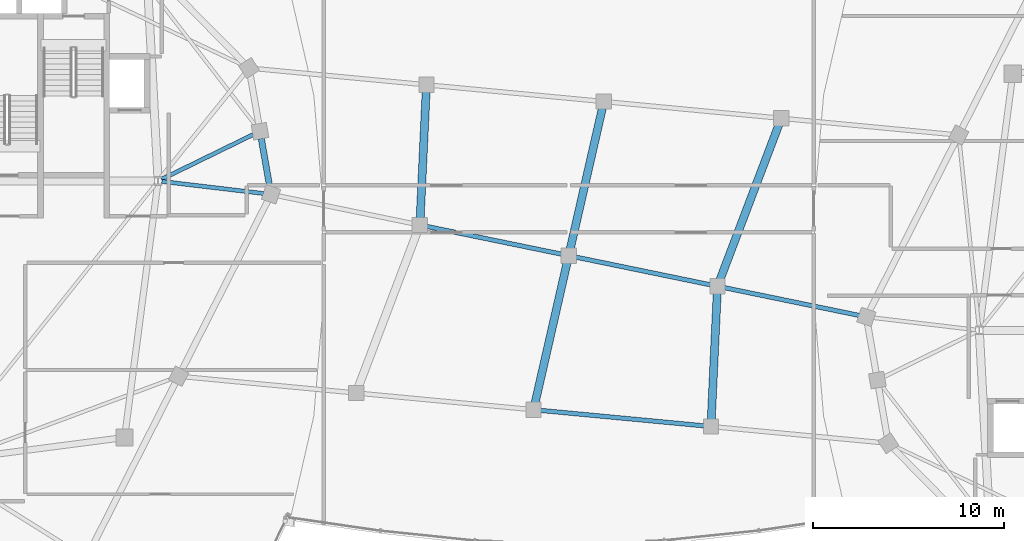
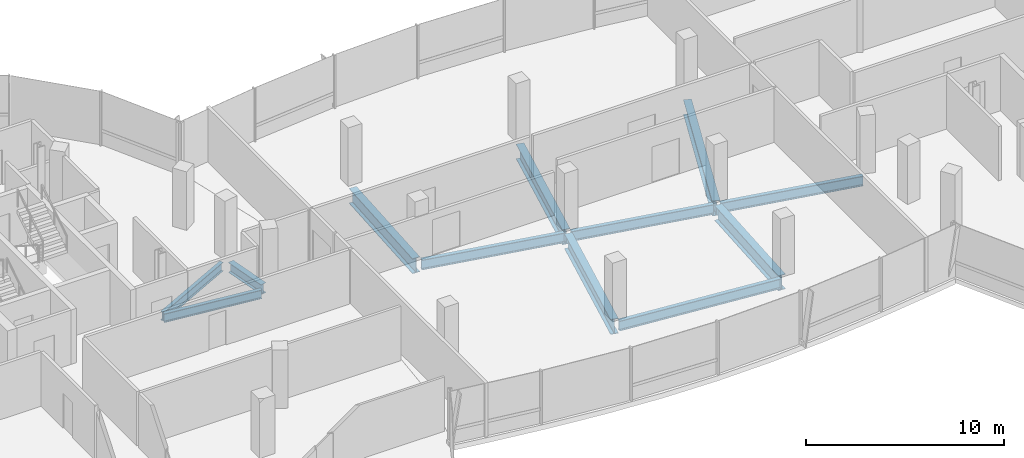
# One storey, part 5 of 25: 12 beams.
"""IFC4 building model written with IfcOpenShell, lengths in metres."""

from ifc_helpers import new_model, si_unit, direction, frame, origin, origin_2d, place, context, subcontext, project, spatial, i_section, extrude, material, material_profile, profile_set, type_object, element, save


model = new_model("IFC4")

# Units and contexts
model_context = context("Model", 3, precision=1e-05, world=origin(), true_north=direction((0.0, 1.0)))
body_context = subcontext(model_context, "Body", "Model", "MODEL_VIEW")
ifc_project = project(units=[si_unit("LENGTHUNIT", "METRE"), si_unit("AREAUNIT", "SQUARE_METRE"), si_unit("VOLUMEUNIT", "CUBIC_METRE"), si_unit("PLANEANGLEUNIT", "RADIAN"), si_unit("MASSUNIT", "GRAM", prefix="KILO"), si_unit("THERMODYNAMICTEMPERATUREUNIT", "KELVIN"), si_unit("POWERUNIT", "WATT")], contexts=[model_context])

# Site, building, storey
site_placement = place(None, origin())
site = spatial("IfcSite", under=ifc_project, at=site_placement, CompositionType="ELEMENT")
building_placement = place(site_placement, origin())
building = spatial("IfcBuilding", under=site, at=building_placement, Name="Cundina Bronze Exchange", CompositionType="ELEMENT")
storey_placement = place(building_placement, frame((0.0, 0.0, 246.800048828125)))
storey = spatial("IfcBuildingStorey", under=building, at=storey_placement, Name="L65", CompositionType="ELEMENT", Elevation=246.800048828125)

# Beams
ifc_material = material(Name="Steel ASTM A992 Grade 50", Category="steel")
ifc_material_profile_1 = material_profile(ifc_material, i_section(OverallWidth=0.2119140625, OverallDepth=0.5439453125, WebThickness=0.01318359375, FlangeThickness=0.021240234375, FilletRadius=0.013916015625, at=origin_2d()), Name="W21X83", Category="steel")
ifc_profile_set_1 = profile_set([ifc_material_profile_1], Name="Steel ASTM A992 Grade 50")
beam_type_1 = type_object("IfcBeamType", Name="BM-FLR-W21A", PredefinedType="BEAM", material=ifc_profile_set_1)
beam_1_placement = place(storey_placement, frame((-21.25537109375, 3.876953125, -0.531982421875), z_axis=(0.993031892142, -0.117845921393, 0.0), x_axis=(0.117845921393, 0.993031892142, 0.0)))
element("IfcBeam", 1, at=beam_1_placement, inside=storey, type_object=beam_type_1, Name="L65 Leg W Radial Floor Beam 00", PredefinedType="BEAM", context=body_context, shape_type="SweptSolid", body=[
    extrude(i_section(OverallWidth=0.2119140625, OverallDepth=0.5439453125, WebThickness=0.01318359375, FlangeThickness=0.021240234375, FilletRadius=0.013916015625, at=origin_2d()), origin(), (0.0, 0.0, 1.0), 5.357421875),
])
beam_2_placement = place(storey_placement, frame((-21.27392578125, 3.986083984375, -0.531982421875), z_axis=(0.898610260891, 0.438747762412, 0.0), x_axis=(-0.438747762412, 0.898610260891, 0.0)))
element("IfcBeam", 2, at=beam_2_placement, inside=storey, type_object=beam_type_1, Name="L65 Leg W Radial Floor Beam 01", PredefinedType="BEAM", context=body_context, shape_type="SweptSolid", body=[
    extrude(i_section(OverallWidth=0.2119140625, OverallDepth=0.5439453125, WebThickness=0.01318359375, FlangeThickness=0.021240234375, FilletRadius=0.013916015625, at=origin_2d()), origin(), (0.0, 0.0, 1.0), 5.341796875),
])
ifc_material_profile_2 = material_profile(ifc_material, i_section(OverallWidth=0.22998046875, OverallDepth=0.616943359375, WebThickness=0.01318359375, FlangeThickness=0.022216796875, FilletRadius=0.013916015625, at=origin_2d()), Name="W24X94", Category="steel")
ifc_profile_set_2 = profile_set([ifc_material_profile_2], Name="Steel ASTM A992 Grade 50")
beam_type_2 = type_object("IfcBeamType", Name="BM-FLR-W24B", PredefinedType="BEAM", material=ifc_profile_set_2)
beam_3_placement = place(storey_placement, frame((-1.658203125, -8.06689453125, -0.628662109375), z_axis=(0.995572136276, -0.094000646124, 0.0), x_axis=(0.094000646124, 0.995572136276, 0.0)))
element("IfcBeam", 3, at=beam_3_placement, inside=storey, type_object=beam_type_2, Name="L65 Sky-Gate Longitudinal Girder Y1-P3", PredefinedType="BEAM", context=body_context, shape_type="SweptSolid", body=[
    extrude(i_section(OverallWidth=0.22998046875, OverallDepth=0.616943359375, WebThickness=0.01318359375, FlangeThickness=0.022216796875, FilletRadius=0.013916015625, at=origin_2d()), origin(), (0.0, 0.0, 1.0), 8.949951171875),
])
for number, where, z_axis, x_axis, name in (
    (4, (-7.5986328125, 1.563720703125, -0.628662109375), (0.979477625294, -0.201552924934, 0.0), (0.201552924934, 0.979477625294, 0.0), "L65 Sky-Gate Longitudinal Girder Y2-P2"),
    (5, (0.17626953125, -0.036376953125, -0.628662109375), (0.979477625294, -0.201552924934, 0.0), (0.201552924934, 0.979477625294, 0.0), "L65 Sky-Gate Longitudinal Girder Y2-P3"),
    (6, (7.951416015625, -1.63623046875, -0.628662109375), (0.979471264571, -0.20158383338, 0.0), (0.20158383338, 0.979471264571, 0.0), "L65 Sky-Gate Longitudinal Girder Y2-P4"),
):
    element("IfcBeam", number, at=place(storey_placement, frame(where, z_axis=z_axis, x_axis=x_axis)), inside=storey, type_object=beam_type_2, Name=name, PredefinedType="BEAM", context=body_context, shape_type="SweptSolid", body=[
        extrude(i_section(OverallWidth=0.22998046875, OverallDepth=0.616943359375, WebThickness=0.01318359375, FlangeThickness=0.022216796875, FilletRadius=0.013916015625, at=origin_2d()), origin(), (0.0, 0.0, 1.0), 7.577880859375),
    ])
ifc_material_profile_3 = material_profile(ifc_material, i_section(OverallWidth=0.324951171875, OverallDepth=0.615966796875, WebThickness=0.013916015625, FlangeThickness=0.021484375, FilletRadius=0.01611328125, at=origin_2d()), Name="W24X117", Category="steel")
ifc_profile_set_3 = profile_set([ifc_material_profile_3], Name="Steel ASTM A992 Grade 50")
beam_type_3 = type_object("IfcBeamType", Name="BM-RING-W24", PredefinedType="USERDEFINED", material=ifc_profile_set_3)
beam_4_placement = place(storey_placement, frame((-15.61669921875, 3.582275390625, -0.568115234375), z_axis=(-0.171593362587, 0.985167862811, 0.0), x_axis=(-0.985167862811, -0.171593362587, 0.0)))
element("IfcBeam", 7, at=beam_4_placement, inside=storey, type_object=beam_type_3, Name="L65 W Perimeter Ring Girder 00", ObjectType="GIRDER", PredefinedType="USERDEFINED", context=body_context, shape_type="SweptSolid", body=[
    extrude(i_section(OverallWidth=0.324951171875, OverallDepth=0.615966796875, WebThickness=0.013916015625, FlangeThickness=0.021484375, FilletRadius=0.01611328125, at=origin_2d()), origin(), (0.0, 0.0, 1.0), 2.57373046875),
])
ifc_material_profile_4 = material_profile(ifc_material, i_section(OverallWidth=0.41796875, OverallDepth=0.927001953125, WebThickness=0.019287109375, FlangeThickness=0.031982421875, FilletRadius=0.02392578125, at=origin_2d()), Name="W36X231", Category="steel")
ifc_profile_set_4 = profile_set([ifc_material_profile_4], Name="Steel ASTM A992 Grade 50")
beam_type_4 = type_object("IfcBeamType", Name="BM-WRN-W36B", PredefinedType="USERDEFINED", material=ifc_profile_set_4)
beam_5_placement = place(storey_placement, frame((-7.7666015625, 1.77978515625, -0.783447265625), z_axis=(0.046881448177, 0.998900460415, 0.0), x_axis=(-0.998900460415, 0.046881448177, 0.0)))
element("IfcBeam", 8, at=beam_5_placement, inside=storey, type_object=beam_type_4, Name="L65 Sky-Gate Transverse Girder X1-N", ObjectType="GIRDER", PredefinedType="USERDEFINED", context=body_context, shape_type="SweptSolid", body=[
    extrude(i_section(OverallWidth=0.41796875, OverallDepth=0.927001953125, WebThickness=0.019287109375, FlangeThickness=0.031982421875, FilletRadius=0.02392578125, at=origin_2d()), origin(), (0.0, 0.0, 1.0), 6.972900390625),
])
for number, where, z_axis, x_axis, name in (
    (9, (-1.79736328125, -7.87451171875, -0.783447265625), (0.222530984599, 0.974925618134, 0.0), (-0.974925618134, 0.222530984599, 0.0), "L65 Sky-Gate Transverse Girder X2-S"),
    (10, (0.0400390625, 0.175537109375, -0.783447265625), (0.222530984599, 0.974925618134, 0.0), (-0.974925618134, 0.222530984599, 0.0), "L65 Sky-Gate Transverse Girder X2-N"),
):
    element("IfcBeam", number, at=place(storey_placement, frame(where, z_axis=z_axis, x_axis=x_axis)), inside=storey, type_object=beam_type_4, Name=name, ObjectType="GIRDER", PredefinedType="USERDEFINED", context=body_context, shape_type="SweptSolid", body=[
        extrude(i_section(OverallWidth=0.41796875, OverallDepth=0.927001953125, WebThickness=0.019287109375, FlangeThickness=0.031982421875, FilletRadius=0.02392578125, at=origin_2d()), origin(), (0.0, 0.0, 1.0), 7.89697265625),
    ])
beam_6_placement = place(storey_placement, frame((7.439697265625, -8.7451171875, -0.783447265625), z_axis=(0.046881448177, 0.998900460415, 0.0), x_axis=(-0.998900460415, 0.046881448177, 0.0)))
element("IfcBeam", 11, at=beam_6_placement, inside=storey, type_object=beam_type_4, Name="L65 Sky-Gate Transverse Girder X3-S", ObjectType="GIRDER", PredefinedType="USERDEFINED", context=body_context, shape_type="SweptSolid", body=[
    extrude(i_section(OverallWidth=0.41796875, OverallDepth=0.927001953125, WebThickness=0.019287109375, FlangeThickness=0.031982421875, FilletRadius=0.02392578125, at=origin_2d()), origin(), (0.0, 0.0, 1.0), 6.972900390625),
])
beam_7_placement = place(storey_placement, frame((7.8388671875, -1.431640625, -0.783447265625), z_axis=(0.354935532146, 0.934890778658, 0.0), x_axis=(-0.934890778658, 0.354935532146, 0.0)))
element("IfcBeam", 12, at=beam_7_placement, inside=storey, type_object=beam_type_4, Name="L65 Sky-Gate Transverse Girder X3-N", ObjectType="GIRDER", PredefinedType="USERDEFINED", context=body_context, shape_type="SweptSolid", body=[
    extrude(i_section(OverallWidth=0.41796875, OverallDepth=0.927001953125, WebThickness=0.019287109375, FlangeThickness=0.031982421875, FilletRadius=0.02392578125, at=origin_2d()), origin(), (0.0, 0.0, 1.0), 9.02587890625),
])

save(model, "model.ifc")
